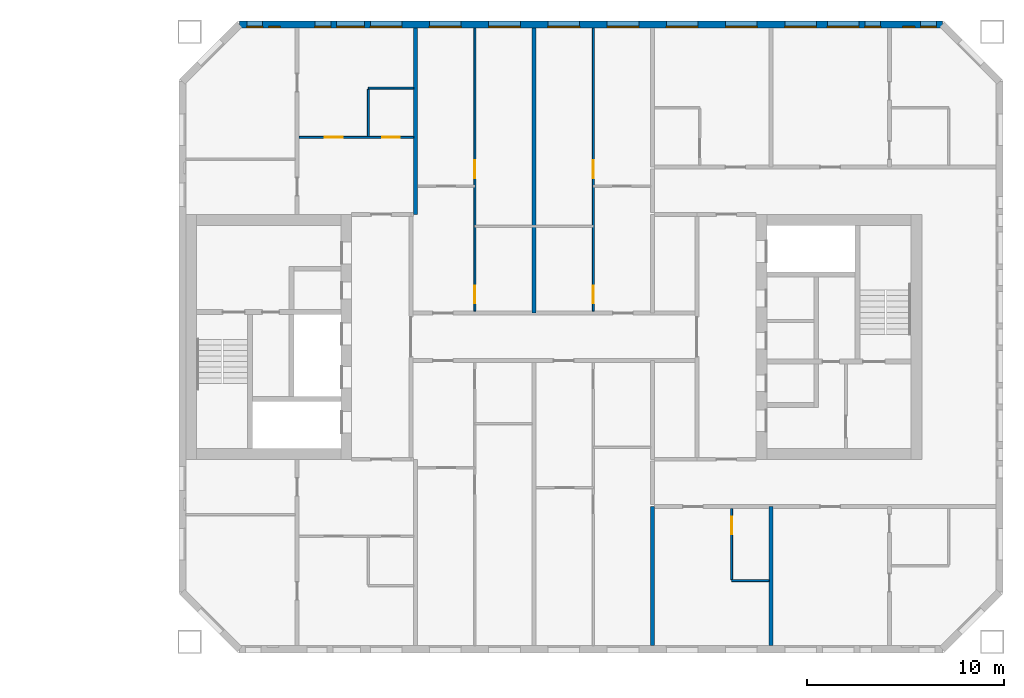
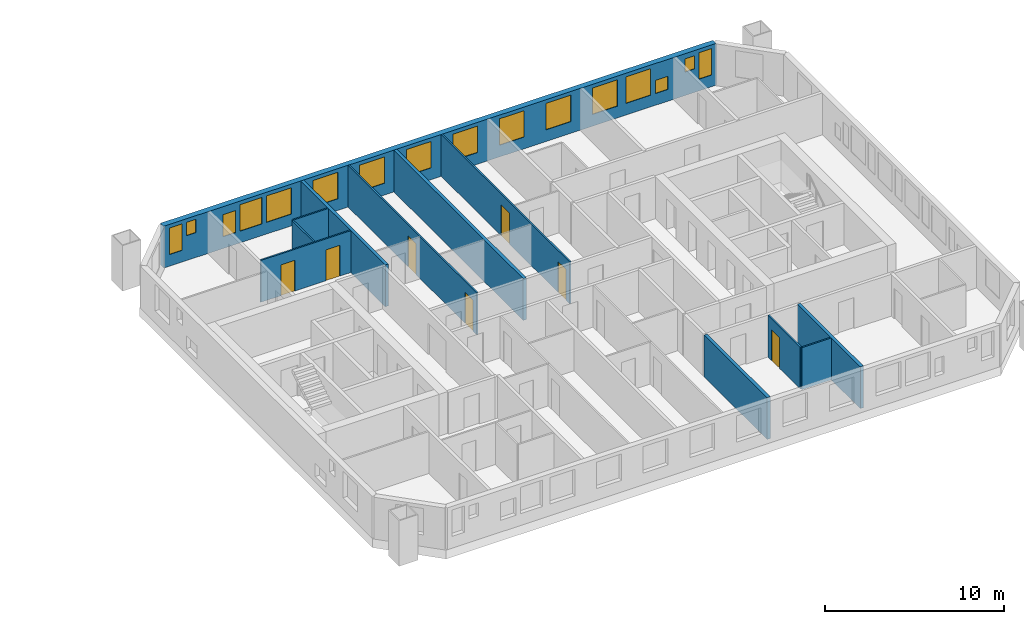
# One storey, part 12 of 17: 16 windows, 12 walls, 7 doors, 23 openings.
"""IFC4 building model written with IfcOpenShell, lengths in metres."""

from ifc_helpers import new_model, si_unit, direction, frame, frame_2d, origin, place, context, subcontext, project, spatial, rectangle, extrude, material, layer, layer_set, type_object, element, fill, save


model = new_model("IFC4")

# Units and contexts
model_context = context("Model", 3, precision=1e-05, world=origin(), true_north=direction((0.0, 1.0)))
body_context = subcontext(model_context, "Body", "Model", "MODEL_VIEW")
ifc_project = project(units=[si_unit("LENGTHUNIT", "METRE"), si_unit("AREAUNIT", "SQUARE_METRE"), si_unit("VOLUMEUNIT", "CUBIC_METRE"), si_unit("PLANEANGLEUNIT", "RADIAN"), si_unit("MASSUNIT", "GRAM", prefix="KILO")], contexts=[model_context])

# Site, building, storey
site_placement = place(None, origin())
site = spatial("IfcSite", under=ifc_project, at=site_placement, CompositionType="ELEMENT")
building_placement = place(site_placement, origin())
building = spatial("IfcBuilding", under=site, at=building_placement, Name="Tuart Gate Housing", CompositionType="ELEMENT")
storey_placement = place(building_placement, frame((0.0, 0.0, 123.699951171875)))
storey = spatial("IfcBuildingStorey", under=building, at=storey_placement, Name="L34", CompositionType="ELEMENT", Elevation=123.699951171875)

# Wall, openings, windows
ifc_material_1 = material(Name="Brick", Category="masonry")
ifc_layer_1 = layer(ifc_material_1, 0.360107421875)
ifc_layer_set_1 = layer_set([ifc_layer_1], Name="Brick pier and spandrel wall 360")
wall_type_1 = type_object("IfcWallType", Name="Brick pier and spandrel wall 360", PredefinedType="STANDARD", material=ifc_layer_set_1)
wall_1_placement = place(storey_placement, frame((169.67529296875, 85.820068359375, 0.0), z_axis=(0.0, 0.0, 1.0), x_axis=(-1.0, 0.0, 0.0)))
wall_1 = element("IfcWall", 1, at=wall_1_placement, inside=storey, type_object=wall_type_1, Name="External wall B-N L34", PredefinedType="STANDARD", context=body_context, shape_type="SweptSolid", body=[
    extrude(rectangle(XDim=35.600830078125, YDim=0.360107421875, at=frame_2d((17.80029296875, 0.0))), origin(), (0.0, 0.0, 1.0), 2.85009765625),
])
opening_1_placement = place(wall_1_placement, frame((0.300048828125, 0.0, 0.800048828125)))
opening_1 = element("IfcOpeningElement", 2, at=opening_1_placement, cuts=wall_1, Name="Opening W1D", PredefinedType="OPENING", context=body_context, shape_type="SweptSolid", body=[
    extrude(rectangle(XDim=0.800048828125, YDim=1.800048828125, at=frame_2d((0.39990234375, 0.89990234375))), frame((0.0, 0.18994140625, 0.0), z_axis=(0.0, -1.0, 0.0), x_axis=(1.0, 0.0, 0.0)), (0.0, 0.0, 1.0), 0.380126953125),
])
opening_2_placement = place(wall_1_placement, frame((3.12548828125, 0.0, 0.800048828125)))
opening_2 = element("IfcOpeningElement", 3, at=opening_2_placement, cuts=wall_1, Name="Opening W1V", PredefinedType="OPENING", context=body_context, shape_type="SweptSolid", body=[
    extrude(rectangle(XDim=0.800048828125, YDim=0.89990234375, at=frame_2d((0.39990234375, 0.449951171875))), frame((0.0, 0.18994140625, 0.0), z_axis=(0.0, -1.0, 0.0), x_axis=(1.0, 0.0, 0.0)), (0.0, 0.0, 1.0), 0.380126953125),
])
opening_3_placement = place(wall_1_placement, frame((6.37548828125, 0.0, 0.800048828125)))
opening_3 = element("IfcOpeningElement", 4, at=opening_3_placement, cuts=wall_1, Name="Opening W1", PredefinedType="OPENING", context=body_context, shape_type="SweptSolid", body=[
    extrude(rectangle(XDim=1.60009765625, YDim=1.800048828125, at=frame_2d((0.800048828125, 0.89990234375))), frame((0.0, 0.18994140625, 0.0), z_axis=(0.0, -1.0, 0.0), x_axis=(1.0, 0.0, 0.0)), (0.0, 0.0, 1.0), 0.380126953125),
])
opening_4_placement = place(wall_1_placement, frame((9.37548828125, 0.0, 0.800048828125)))
opening_4 = element("IfcOpeningElement", 5, at=opening_4_placement, cuts=wall_1, Name="Opening W1", PredefinedType="OPENING", context=body_context, shape_type="SweptSolid", body=[
    extrude(rectangle(XDim=1.60009765625, YDim=1.800048828125, at=frame_2d((0.800048828125, 0.89990234375))), frame((0.0, 0.18994140625, 0.0), z_axis=(0.0, -1.0, 0.0), x_axis=(1.0, 0.0, 0.0)), (0.0, 0.0, 1.0), 0.380126953125),
])
opening_5_placement = place(wall_1_placement, frame((12.37548828125, 0.0, 0.800048828125)))
opening_5 = element("IfcOpeningElement", 6, at=opening_5_placement, cuts=wall_1, Name="Opening W1", PredefinedType="OPENING", context=body_context, shape_type="SweptSolid", body=[
    extrude(rectangle(XDim=1.60009765625, YDim=1.800048828125, at=frame_2d((0.800048828125, 0.89990234375))), frame((0.0, 0.18994140625, 0.0), z_axis=(0.0, -1.0, 0.0), x_axis=(1.0, 0.0, 0.0)), (0.0, 0.0, 1.0), 0.380126953125),
])
opening_6_placement = place(wall_1_placement, frame((15.37548828125, 0.0, 0.800048828125)))
opening_6 = element("IfcOpeningElement", 7, at=opening_6_placement, cuts=wall_1, Name="Opening W1", PredefinedType="OPENING", context=body_context, shape_type="SweptSolid", body=[
    extrude(rectangle(XDim=1.60009765625, YDim=1.800048828125, at=frame_2d((0.800048828125, 0.89990234375))), frame((0.0, 0.18994140625, 0.0), z_axis=(0.0, -1.0, 0.0), x_axis=(1.0, 0.0, 0.0)), (0.0, 0.0, 1.0), 0.380126953125),
])
opening_7_placement = place(wall_1_placement, frame((18.37548828125, 0.0, 0.800048828125)))
opening_7 = element("IfcOpeningElement", 8, at=opening_7_placement, cuts=wall_1, Name="Opening W1", PredefinedType="OPENING", context=body_context, shape_type="SweptSolid", body=[
    extrude(rectangle(XDim=1.60009765625, YDim=1.800048828125, at=frame_2d((0.800048828125, 0.89990234375))), frame((0.0, 0.18994140625, 0.0), z_axis=(0.0, -1.0, 0.0), x_axis=(1.0, 0.0, 0.0)), (0.0, 0.0, 1.0), 0.380126953125),
])
opening_8_placement = place(wall_1_placement, frame((21.37548828125, 0.0, 0.800048828125)))
opening_8 = element("IfcOpeningElement", 9, at=opening_8_placement, cuts=wall_1, Name="Opening W1", PredefinedType="OPENING", context=body_context, shape_type="SweptSolid", body=[
    extrude(rectangle(XDim=1.60009765625, YDim=1.800048828125, at=frame_2d((0.800048828125, 0.89990234375))), frame((0.0, 0.18994140625, 0.0), z_axis=(0.0, -1.0, 0.0), x_axis=(1.0, 0.0, 0.0)), (0.0, 0.0, 1.0), 0.380126953125),
])
opening_9_placement = place(wall_1_placement, frame((24.37548828125, 0.0, 0.800048828125)))
opening_9 = element("IfcOpeningElement", 10, at=opening_9_placement, cuts=wall_1, Name="Opening W1", PredefinedType="OPENING", context=body_context, shape_type="SweptSolid", body=[
    extrude(rectangle(XDim=1.60009765625, YDim=1.800048828125, at=frame_2d((0.800048828125, 0.89990234375))), frame((0.0, 0.18994140625, 0.0), z_axis=(0.0, -1.0, 0.0), x_axis=(1.0, 0.0, 0.0)), (0.0, 0.0, 1.0), 0.380126953125),
])
opening_10_placement = place(wall_1_placement, frame((27.37548828125, 0.0, 0.800048828125)))
opening_10 = element("IfcOpeningElement", 11, at=opening_10_placement, cuts=wall_1, Name="Opening W1", PredefinedType="OPENING", context=body_context, shape_type="SweptSolid", body=[
    extrude(rectangle(XDim=1.60009765625, YDim=1.800048828125, at=frame_2d((0.800048828125, 0.89990234375))), frame((0.0, 0.18994140625, 0.0), z_axis=(0.0, -1.0, 0.0), x_axis=(1.0, 0.0, 0.0)), (0.0, 0.0, 1.0), 0.380126953125),
])
opening_11_placement = place(wall_1_placement, frame((29.275390625, 0.0, 0.800048828125)))
opening_11 = element("IfcOpeningElement", 12, at=opening_11_placement, cuts=wall_1, Name="Opening W1A", PredefinedType="OPENING", context=body_context, shape_type="SweptSolid", body=[
    extrude(rectangle(XDim=1.39990234375, YDim=1.800048828125, at=frame_2d((0.699951171875, 0.89990234375))), frame((0.0, 0.18994140625, 0.0), z_axis=(0.0, -1.0, 0.0), x_axis=(1.0, 0.0, 0.0)), (0.0, 0.0, 1.0), 0.380126953125),
])
opening_12_placement = place(wall_1_placement, frame((33.525390625, 0.0, 1.699951171875)))
opening_12 = element("IfcOpeningElement", 13, at=opening_12_placement, cuts=wall_1, Name="Opening W1W", PredefinedType="OPENING", context=body_context, shape_type="SweptSolid", body=[
    extrude(rectangle(XDim=0.60009765625, YDim=0.89990234375, at=frame_2d((0.300048828125, 0.449951171875))), frame((0.0, 0.18994140625, 0.0), z_axis=(0.0, -1.0, 0.0), x_axis=(1.0, 0.0, 0.0)), (0.0, 0.0, 1.0), 0.380126953125),
])
opening_13_placement = place(wall_1_placement, frame((1.39990234375, 0.0, 1.60009765625)))
opening_13 = element("IfcOpeningElement", 14, at=opening_13_placement, cuts=wall_1, Name="Opening W1W", PredefinedType="OPENING", context=body_context, shape_type="SweptSolid", body=[
    extrude(rectangle(XDim=0.60009765625, YDim=0.89990234375, at=frame_2d((0.300048828125, 0.449951171875))), frame((0.0, 0.18994140625, 0.0), z_axis=(0.0, -1.0, 0.0), x_axis=(1.0, 0.0, 0.0)), (0.0, 0.0, 1.0), 0.380126953125),
])
opening_14_placement = place(wall_1_placement, frame((4.225341796875, 0.0, 0.800048828125)))
opening_14 = element("IfcOpeningElement", 15, at=opening_14_placement, cuts=wall_1, Name="Opening W1", PredefinedType="OPENING", context=body_context, shape_type="SweptSolid", body=[
    extrude(rectangle(XDim=1.60009765625, YDim=1.800048828125, at=frame_2d((0.800048828125, 0.89990234375))), frame((0.0, 0.18994140625, 0.0), z_axis=(0.0, -1.0, 0.0), x_axis=(1.0, 0.0, 0.0)), (0.0, 0.0, 1.0), 0.380126953125),
])
opening_15_placement = place(wall_1_placement, frame((30.975341796875, 0.0, 0.800048828125)))
opening_15 = element("IfcOpeningElement", 16, at=opening_15_placement, cuts=wall_1, Name="Opening W1J", PredefinedType="OPENING", context=body_context, shape_type="SweptSolid", body=[
    extrude(rectangle(XDim=0.800048828125, YDim=1.5, at=frame_2d((0.39990234375, 0.75))), frame((0.0, 0.18994140625, 0.0), z_axis=(0.0, -1.0, 0.0), x_axis=(1.0, 0.0, 0.0)), (0.0, 0.0, 1.0), 0.380126953125),
])
opening_16_placement = place(wall_1_placement, frame((34.42529296875, 0.0, 0.800048828125)))
opening_16 = element("IfcOpeningElement", 17, at=opening_16_placement, cuts=wall_1, Name="Opening W1D", PredefinedType="OPENING", context=body_context, shape_type="SweptSolid", body=[
    extrude(rectangle(XDim=0.800048828125, YDim=1.800048828125, at=frame_2d((0.39990234375, 0.89990234375))), frame((0.0, 0.18994140625, 0.0), z_axis=(0.0, -1.0, 0.0), x_axis=(1.0, 0.0, 0.0)), (0.0, 0.0, 1.0), 0.380126953125),
])
ifc_material_2 = material(Name="Aluminium frame with clear glass", Category="aluminium")
window_type_1 = type_object("IfcWindowType", Name="Punched window 1400 x 1800", PartitioningType="SINGLE_PANEL", PredefinedType="WINDOW", material=ifc_material_2)
window_1_placement = place(opening_11_placement, origin())
window_1 = element("IfcWindow", 18, at=window_1_placement, inside=storey, type_object=window_type_1, Name="Window W1A", OverallHeight=1.800048828125, OverallWidth=1.39990234375, PartitioningType="SINGLE_PANEL", PredefinedType="WINDOW", context=body_context, shape_type="SweptSolid", body=[
    extrude(rectangle(XDim=1.39990234375, YDim=1.800048828125, at=frame_2d((0.699951171875, 0.89990234375))), frame((0.0, 0.150146484375, 0.0), z_axis=(0.0, -1.0, 0.0), x_axis=(1.0, 0.0, 0.0)), (0.0, 0.0, 1.0), 0.06005859375),
])
fill(opening_11, window_1)
ifc_material_3 = material(Name="Aluminium frame with clear glass", Category="aluminium")
window_type_2 = type_object("IfcWindowType", Name="Punched window 1600 x 1800", PartitioningType="SINGLE_PANEL", PredefinedType="WINDOW", material=ifc_material_3)
window_2_placement = place(opening_3_placement, origin())
window_2 = element("IfcWindow", 19, at=window_2_placement, inside=storey, type_object=window_type_2, Name="Window W1", OverallHeight=1.800048828125, OverallWidth=1.60009765625, PartitioningType="SINGLE_PANEL", PredefinedType="WINDOW", context=body_context, shape_type="SweptSolid", body=[
    extrude(rectangle(XDim=1.60009765625, YDim=1.800048828125, at=frame_2d((0.800048828125, 0.89990234375))), frame((0.0, 0.150146484375, 0.0), z_axis=(0.0, -1.0, 0.0), x_axis=(1.0, 0.0, 0.0)), (0.0, 0.0, 1.0), 0.06005859375),
])
fill(opening_3, window_2)
window_3_placement = place(opening_4_placement, origin())
window_3 = element("IfcWindow", 20, at=window_3_placement, inside=storey, type_object=window_type_2, Name="Window W1", OverallHeight=1.800048828125, OverallWidth=1.60009765625, PartitioningType="SINGLE_PANEL", PredefinedType="WINDOW", context=body_context, shape_type="SweptSolid", body=[
    extrude(rectangle(XDim=1.60009765625, YDim=1.800048828125, at=frame_2d((0.800048828125, 0.89990234375))), frame((0.0, 0.150146484375, 0.0), z_axis=(0.0, -1.0, 0.0), x_axis=(1.0, 0.0, 0.0)), (0.0, 0.0, 1.0), 0.06005859375),
])
fill(opening_4, window_3)
window_4_placement = place(opening_5_placement, origin())
window_4 = element("IfcWindow", 21, at=window_4_placement, inside=storey, type_object=window_type_2, Name="Window W1", OverallHeight=1.800048828125, OverallWidth=1.60009765625, PartitioningType="SINGLE_PANEL", PredefinedType="WINDOW", context=body_context, shape_type="SweptSolid", body=[
    extrude(rectangle(XDim=1.60009765625, YDim=1.800048828125, at=frame_2d((0.800048828125, 0.89990234375))), frame((0.0, 0.150146484375, 0.0), z_axis=(0.0, -1.0, 0.0), x_axis=(1.0, 0.0, 0.0)), (0.0, 0.0, 1.0), 0.06005859375),
])
fill(opening_5, window_4)
window_5_placement = place(opening_6_placement, origin())
window_5 = element("IfcWindow", 22, at=window_5_placement, inside=storey, type_object=window_type_2, Name="Window W1", OverallHeight=1.800048828125, OverallWidth=1.60009765625, PartitioningType="SINGLE_PANEL", PredefinedType="WINDOW", context=body_context, shape_type="SweptSolid", body=[
    extrude(rectangle(XDim=1.60009765625, YDim=1.800048828125, at=frame_2d((0.800048828125, 0.89990234375))), frame((0.0, 0.150146484375, 0.0), z_axis=(0.0, -1.0, 0.0), x_axis=(1.0, 0.0, 0.0)), (0.0, 0.0, 1.0), 0.06005859375),
])
fill(opening_6, window_5)
window_6_placement = place(opening_7_placement, origin())
window_6 = element("IfcWindow", 23, at=window_6_placement, inside=storey, type_object=window_type_2, Name="Window W1", OverallHeight=1.800048828125, OverallWidth=1.60009765625, PartitioningType="SINGLE_PANEL", PredefinedType="WINDOW", context=body_context, shape_type="SweptSolid", body=[
    extrude(rectangle(XDim=1.60009765625, YDim=1.800048828125, at=frame_2d((0.800048828125, 0.89990234375))), frame((0.0, 0.150146484375, 0.0), z_axis=(0.0, -1.0, 0.0), x_axis=(1.0, 0.0, 0.0)), (0.0, 0.0, 1.0), 0.06005859375),
])
fill(opening_7, window_6)
window_7_placement = place(opening_8_placement, origin())
window_7 = element("IfcWindow", 24, at=window_7_placement, inside=storey, type_object=window_type_2, Name="Window W1", OverallHeight=1.800048828125, OverallWidth=1.60009765625, PartitioningType="SINGLE_PANEL", PredefinedType="WINDOW", context=body_context, shape_type="SweptSolid", body=[
    extrude(rectangle(XDim=1.60009765625, YDim=1.800048828125, at=frame_2d((0.800048828125, 0.89990234375))), frame((0.0, 0.150146484375, 0.0), z_axis=(0.0, -1.0, 0.0), x_axis=(1.0, 0.0, 0.0)), (0.0, 0.0, 1.0), 0.06005859375),
])
fill(opening_8, window_7)
window_8_placement = place(opening_9_placement, origin())
window_8 = element("IfcWindow", 25, at=window_8_placement, inside=storey, type_object=window_type_2, Name="Window W1", OverallHeight=1.800048828125, OverallWidth=1.60009765625, PartitioningType="SINGLE_PANEL", PredefinedType="WINDOW", context=body_context, shape_type="SweptSolid", body=[
    extrude(rectangle(XDim=1.60009765625, YDim=1.800048828125, at=frame_2d((0.800048828125, 0.89990234375))), frame((0.0, 0.150146484375, 0.0), z_axis=(0.0, -1.0, 0.0), x_axis=(1.0, 0.0, 0.0)), (0.0, 0.0, 1.0), 0.06005859375),
])
fill(opening_9, window_8)
window_9_placement = place(opening_10_placement, origin())
window_9 = element("IfcWindow", 26, at=window_9_placement, inside=storey, type_object=window_type_2, Name="Window W1", OverallHeight=1.800048828125, OverallWidth=1.60009765625, PartitioningType="SINGLE_PANEL", PredefinedType="WINDOW", context=body_context, shape_type="SweptSolid", body=[
    extrude(rectangle(XDim=1.60009765625, YDim=1.800048828125, at=frame_2d((0.800048828125, 0.89990234375))), frame((0.0, 0.150146484375, 0.0), z_axis=(0.0, -1.0, 0.0), x_axis=(1.0, 0.0, 0.0)), (0.0, 0.0, 1.0), 0.06005859375),
])
fill(opening_10, window_9)
window_10_placement = place(opening_14_placement, origin())
window_10 = element("IfcWindow", 27, at=window_10_placement, inside=storey, type_object=window_type_2, Name="Window W1", OverallHeight=1.800048828125, OverallWidth=1.60009765625, PartitioningType="SINGLE_PANEL", PredefinedType="WINDOW", context=body_context, shape_type="SweptSolid", body=[
    extrude(rectangle(XDim=1.60009765625, YDim=1.800048828125, at=frame_2d((0.800048828125, 0.89990234375))), frame((0.0, 0.150146484375, 0.0), z_axis=(0.0, -1.0, 0.0), x_axis=(1.0, 0.0, 0.0)), (0.0, 0.0, 1.0), 0.06005859375),
])
fill(opening_14, window_10)
ifc_material_4 = material(Name="Aluminium frame with clear glass", Category="aluminium")
window_type_3 = type_object("IfcWindowType", Name="Punched window 600 x 900", PartitioningType="SINGLE_PANEL", PredefinedType="WINDOW", material=ifc_material_4)
window_11_placement = place(opening_12_placement, origin())
window_11 = element("IfcWindow", 28, at=window_11_placement, inside=storey, type_object=window_type_3, Name="Window W1W", OverallHeight=0.89990234375, OverallWidth=0.60009765625, PartitioningType="SINGLE_PANEL", PredefinedType="WINDOW", context=body_context, shape_type="SweptSolid", body=[
    extrude(rectangle(XDim=0.60009765625, YDim=0.89990234375, at=frame_2d((0.300048828125, 0.449951171875))), frame((0.0, 0.150146484375, 0.0), z_axis=(0.0, -1.0, 0.0), x_axis=(1.0, 0.0, 0.0)), (0.0, 0.0, 1.0), 0.06005859375),
])
fill(opening_12, window_11)
window_12_placement = place(opening_13_placement, origin())
window_12 = element("IfcWindow", 29, at=window_12_placement, inside=storey, type_object=window_type_3, Name="Window W1W", OverallHeight=0.89990234375, OverallWidth=0.60009765625, PartitioningType="SINGLE_PANEL", PredefinedType="WINDOW", context=body_context, shape_type="SweptSolid", body=[
    extrude(rectangle(XDim=0.60009765625, YDim=0.89990234375, at=frame_2d((0.300048828125, 0.449951171875))), frame((0.0, 0.150146484375, 0.0), z_axis=(0.0, -1.0, 0.0), x_axis=(1.0, 0.0, 0.0)), (0.0, 0.0, 1.0), 0.06005859375),
])
fill(opening_13, window_12)
ifc_material_5 = material(Name="Aluminium frame with clear glass", Category="aluminium")
window_type_4 = type_object("IfcWindowType", Name="Punched window 800 x 1500", PartitioningType="SINGLE_PANEL", PredefinedType="WINDOW", material=ifc_material_5)
window_13_placement = place(opening_15_placement, origin())
window_13 = element("IfcWindow", 30, at=window_13_placement, inside=storey, type_object=window_type_4, Name="Window W1J", OverallHeight=1.5, OverallWidth=0.800048828125, PartitioningType="SINGLE_PANEL", PredefinedType="WINDOW", context=body_context, shape_type="SweptSolid", body=[
    extrude(rectangle(XDim=0.800048828125, YDim=1.5, at=frame_2d((0.39990234375, 0.75))), frame((0.0, 0.150146484375, 0.0), z_axis=(0.0, -1.0, 0.0), x_axis=(1.0, 0.0, 0.0)), (0.0, 0.0, 1.0), 0.06005859375),
])
fill(opening_15, window_13)
ifc_material_6 = material(Name="Aluminium frame with clear glass", Category="aluminium")
window_type_5 = type_object("IfcWindowType", Name="Punched window 800 x 1800", PartitioningType="SINGLE_PANEL", PredefinedType="WINDOW", material=ifc_material_6)
window_14_placement = place(opening_1_placement, origin())
window_14 = element("IfcWindow", 31, at=window_14_placement, inside=storey, type_object=window_type_5, Name="Window W1D", OverallHeight=1.800048828125, OverallWidth=0.800048828125, PartitioningType="SINGLE_PANEL", PredefinedType="WINDOW", context=body_context, shape_type="SweptSolid", body=[
    extrude(rectangle(XDim=0.800048828125, YDim=1.800048828125, at=frame_2d((0.39990234375, 0.89990234375))), frame((0.0, 0.150146484375, 0.0), z_axis=(0.0, -1.0, 0.0), x_axis=(1.0, 0.0, 0.0)), (0.0, 0.0, 1.0), 0.06005859375),
])
fill(opening_1, window_14)
window_15_placement = place(opening_16_placement, origin())
window_15 = element("IfcWindow", 32, at=window_15_placement, inside=storey, type_object=window_type_5, Name="Window W1D", OverallHeight=1.800048828125, OverallWidth=0.800048828125, PartitioningType="SINGLE_PANEL", PredefinedType="WINDOW", context=body_context, shape_type="SweptSolid", body=[
    extrude(rectangle(XDim=0.800048828125, YDim=1.800048828125, at=frame_2d((0.39990234375, 0.89990234375))), frame((0.0, 0.150146484375, 0.0), z_axis=(0.0, -1.0, 0.0), x_axis=(1.0, 0.0, 0.0)), (0.0, 0.0, 1.0), 0.06005859375),
])
fill(opening_16, window_15)
ifc_material_7 = material(Name="Aluminium frame with clear glass", Category="aluminium")
window_type_6 = type_object("IfcWindowType", Name="Punched window 800 x 900", PartitioningType="SINGLE_PANEL", PredefinedType="WINDOW", material=ifc_material_7)
window_16_placement = place(opening_2_placement, origin())
window_16 = element("IfcWindow", 33, at=window_16_placement, inside=storey, type_object=window_type_6, Name="Window W1V", OverallHeight=0.89990234375, OverallWidth=0.800048828125, PartitioningType="SINGLE_PANEL", PredefinedType="WINDOW", context=body_context, shape_type="SweptSolid", body=[
    extrude(rectangle(XDim=0.800048828125, YDim=0.89990234375, at=frame_2d((0.39990234375, 0.449951171875))), frame((0.0, 0.150146484375, 0.0), z_axis=(0.0, -1.0, 0.0), x_axis=(1.0, 0.0, 0.0)), (0.0, 0.0, 1.0), 0.06005859375),
])
fill(opening_2, window_16)

# Wall
ifc_material_8 = material(Name="Gypsum board on steel studs", Category="steel")
ifc_layer_2 = layer(ifc_material_8, 0.10009765625)
ifc_layer_set_2 = layer_set([ifc_layer_2], Name="Partition 100")
wall_type_2 = type_object("IfcWallType", Name="Partition 100", PredefinedType="PARTITIONING", material=ifc_layer_set_2)
wall_2_placement = place(storey_placement, frame((159.0, 57.64990234375, 0.0), z_axis=(0.0, 0.0, 1.0), x_axis=(1.0, 0.0, 0.0)))
element("IfcWall", 34, at=wall_2_placement, inside=storey, type_object=wall_type_2, Name="Partition 100", PredefinedType="PARTITIONING", context=body_context, shape_type="SweptSolid", body=[
    extrude(rectangle(XDim=1.89990234375, YDim=0.10009765625, at=frame_2d((0.949951171875, 0.0))), origin(), (0.0, 0.0, 1.0), 2.85009765625),
])

# Wall, openings, doors
wall_3_placement = place(storey_placement, frame((137.10009765625, 80.10009765625, 0.0), z_axis=(0.0, 0.0, 1.0), x_axis=(1.0, 0.0, 0.0)))
wall_3 = element("IfcWall", 35, at=wall_3_placement, inside=storey, type_object=wall_type_2, Name="Partition 100", PredefinedType="PARTITIONING", context=body_context, shape_type="SweptSolid", body=[
    extrude(rectangle(XDim=5.7998046875, YDim=0.10009765625, at=frame_2d((2.89990234375, 0.0))), origin(), (0.0, 0.0, 1.0), 2.85009765625),
])
opening_17_placement = place(wall_3_placement, frame((1.300048828125, 0.0, 0.0)))
opening_17 = element("IfcOpeningElement", 36, at=opening_17_placement, cuts=wall_3, Name="Opening D1357", PredefinedType="OPENING", context=body_context, shape_type="SweptSolid", body=[
    extrude(rectangle(XDim=0.89990234375, YDim=2.10009765625, at=frame_2d((0.449951171875, 1.050048828125))), frame((0.0, 0.06005859375, 0.0), z_axis=(0.0, -1.0, 0.0), x_axis=(1.0, 0.0, 0.0)), (0.0, 0.0, 1.0), 0.1201171875),
])
opening_18_placement = place(wall_3_placement, frame((4.199951171875, 0.0, 0.0)))
opening_18 = element("IfcOpeningElement", 37, at=opening_18_placement, cuts=wall_3, Name="Opening D1356", PredefinedType="OPENING", context=body_context, shape_type="SweptSolid", body=[
    extrude(rectangle(XDim=0.89990234375, YDim=2.10009765625, at=frame_2d((0.449951171875, 1.050048828125))), frame((0.0, 0.06005859375, 0.0), z_axis=(0.0, -1.0, 0.0), x_axis=(1.0, 0.0, 0.0)), (0.0, 0.0, 1.0), 0.1201171875),
])
ifc_material_9 = material(Name="Timber door leaf in steel frame", Category="steel")
door_type_1 = type_object("IfcDoorType", Name="Bathroom door 900", OperationType="SINGLE_SWING_LEFT", PredefinedType="DOOR", material=ifc_material_9)
door_1_placement = place(opening_18_placement, origin())
door_1 = element("IfcDoor", 38, at=door_1_placement, inside=storey, type_object=door_type_1, Name="Bathroom door", OperationType="SINGLE_SWING_LEFT", OverallHeight=2.10009765625, OverallWidth=0.89990234375, PredefinedType="DOOR", context=body_context, shape_type="SweptSolid", body=[
    extrude(rectangle(XDim=0.89990234375, YDim=2.10009765625, at=frame_2d((0.449951171875, 1.050048828125))), frame((0.0, 0.02490234375, 0.0), z_axis=(0.0, -1.0, 0.0), x_axis=(1.0, 0.0, 0.0)), (0.0, 0.0, 1.0), 0.050048828125),
])
fill(opening_18, door_1)
ifc_material_10 = material(Name="Timber door leaf in steel frame", Category="steel")
door_type_2 = type_object("IfcDoorType", Name="Internal door 900 RH", OperationType="SINGLE_SWING_RIGHT", PredefinedType="DOOR", material=ifc_material_10)
door_2_placement = place(opening_17_placement, frame((0.89990234375, 0.0, 0.0), z_axis=(0.0, 0.0, 1.0), x_axis=(-1.0, 0.0, 0.0)))
door_2 = element("IfcDoor", 39, at=door_2_placement, inside=storey, type_object=door_type_2, Name="Internal door", OperationType="SINGLE_SWING_RIGHT", OverallHeight=2.10009765625, OverallWidth=0.89990234375, PredefinedType="DOOR", context=body_context, shape_type="SweptSolid", body=[
    extrude(rectangle(XDim=0.89990234375, YDim=2.10009765625, at=frame_2d((0.449951171875, 1.050048828125))), frame((0.0, 0.025146484375, 0.0), z_axis=(0.0, -1.0, 0.0), x_axis=(1.0, 0.0, 0.0)), (0.0, 0.0, 1.0), 0.050048828125),
])
fill(opening_17, door_2)

# Walls
wall_4_placement = place(storey_placement, frame((140.60009765625, 82.60009765625, 0.0), z_axis=(0.0, 0.0, 1.0), x_axis=(1.0, 0.0, 0.0)))
element("IfcWall", 40, at=wall_4_placement, inside=storey, type_object=wall_type_2, Name="Partition 100", PredefinedType="PARTITIONING", context=body_context, shape_type="SweptSolid", body=[
    extrude(rectangle(XDim=2.2998046875, YDim=0.10009765625, at=frame_2d((1.14990234375, 0.0))), origin(), (0.0, 0.0, 1.0), 2.85009765625),
])
wall_5_placement = place(storey_placement, frame((140.60009765625, 80.14990234375, 0.0), z_axis=(0.0, 0.0, 1.0), x_axis=(0.0, 1.0, 0.0)))
element("IfcWall", 41, at=wall_5_placement, inside=storey, type_object=wall_type_2, Name="Partition 100", PredefinedType="PARTITIONING", context=body_context, shape_type="SweptSolid", body=[
    extrude(rectangle(XDim=2.400146484375, YDim=0.10009765625, at=frame_2d((1.2001953125, 0.0))), origin(), (0.0, 0.0, 1.0), 2.85009765625),
])

# Wall, openings, doors
wall_6_placement = place(storey_placement, frame((146.0, 71.300048828125, 0.0), z_axis=(0.0, 0.0, 1.0), x_axis=(0.0, 1.0, 0.0)))
wall_6 = element("IfcWall", 42, at=wall_6_placement, inside=storey, type_object=wall_type_2, Name="Partition 100", PredefinedType="PARTITIONING", context=body_context, shape_type="SweptSolid", body=[
    extrude(rectangle(XDim=14.33984375, YDim=0.10009765625, at=frame_2d((7.169921875, 0.0))), origin(), (0.0, 0.0, 1.0), 2.85009765625),
])
opening_19_placement = place(wall_6_placement, frame((6.739990234375, 0.0, 0.0)))
opening_19 = element("IfcOpeningElement", 43, at=opening_19_placement, cuts=wall_6, Name="Opening D1361", PredefinedType="OPENING", context=body_context, shape_type="SweptSolid", body=[
    extrude(rectangle(XDim=0.89990234375, YDim=2.10009765625, at=frame_2d((0.449951171875, 1.050048828125))), frame((0.0, 0.06005859375, 0.0), z_axis=(0.0, -1.0, 0.0), x_axis=(1.0, 0.0, 0.0)), (0.0, 0.0, 1.0), 0.1201171875),
])
opening_20_placement = place(wall_6_placement, frame((0.39990234375, 0.0, 0.0)))
opening_20 = element("IfcOpeningElement", 44, at=opening_20_placement, cuts=wall_6, Name="Opening D1360", PredefinedType="OPENING", context=body_context, shape_type="SweptSolid", body=[
    extrude(rectangle(XDim=0.89990234375, YDim=2.10009765625, at=frame_2d((0.449951171875, 1.050048828125))), frame((0.0, 0.06005859375, 0.0), z_axis=(0.0, -1.0, 0.0), x_axis=(1.0, 0.0, 0.0)), (0.0, 0.0, 1.0), 0.1201171875),
])
ifc_material_11 = material(Name="Timber door leaf in steel frame", Category="steel")
door_type_3 = type_object("IfcDoorType", Name="Bathroom door 900 RH", OperationType="SINGLE_SWING_RIGHT", PredefinedType="DOOR", material=ifc_material_11)
door_3_placement = place(opening_20_placement, frame((0.89990234375, 0.0, 0.0), z_axis=(0.0, 0.0, 1.0), x_axis=(-1.0, 0.0, 0.0)))
door_3 = element("IfcDoor", 45, at=door_3_placement, inside=storey, type_object=door_type_3, Name="Bathroom door", OperationType="SINGLE_SWING_RIGHT", OverallHeight=2.10009765625, OverallWidth=0.89990234375, PredefinedType="DOOR", context=body_context, shape_type="SweptSolid", body=[
    extrude(rectangle(XDim=0.89990234375, YDim=2.10009765625, at=frame_2d((0.449951171875, 1.050048828125))), frame((0.0, 0.025146484375, 0.0), z_axis=(0.0, -1.0, 0.0), x_axis=(1.0, 0.0, 0.0)), (0.0, 0.0, 1.0), 0.050048828125),
])
fill(opening_20, door_3)
door_4_placement = place(opening_19_placement, frame((0.89990234375, 0.0, 0.0), z_axis=(0.0, 0.0, 1.0), x_axis=(-1.0, 0.0, 0.0)))
door_4 = element("IfcDoor", 46, at=door_4_placement, inside=storey, type_object=door_type_2, Name="Internal door", OperationType="SINGLE_SWING_RIGHT", OverallHeight=2.10009765625, OverallWidth=0.89990234375, PredefinedType="DOOR", context=body_context, shape_type="SweptSolid", body=[
    extrude(rectangle(XDim=0.89990234375, YDim=2.10009765625, at=frame_2d((0.449951171875, 1.050048828125))), frame((0.0, 0.025146484375, 0.0), z_axis=(0.0, -1.0, 0.0), x_axis=(1.0, 0.0, 0.0)), (0.0, 0.0, 1.0), 0.050048828125),
])
fill(opening_19, door_4)

wall_7_placement = place(storey_placement, frame((152.0, 71.300048828125, 0.0), z_axis=(0.0, 0.0, 1.0), x_axis=(0.0, 1.0, 0.0)))
wall_7 = element("IfcWall", 47, at=wall_7_placement, inside=storey, type_object=wall_type_2, Name="Partition 100", PredefinedType="PARTITIONING", context=body_context, shape_type="SweptSolid", body=[
    extrude(rectangle(XDim=14.33984375, YDim=0.10009765625, at=frame_2d((7.169921875, 0.0))), origin(), (0.0, 0.0, 1.0), 2.85009765625),
])
opening_21_placement = place(wall_7_placement, frame((6.739990234375, 0.0, 0.0)))
opening_21 = element("IfcOpeningElement", 48, at=opening_21_placement, cuts=wall_7, Name="Opening D1363", PredefinedType="OPENING", context=body_context, shape_type="SweptSolid", body=[
    extrude(rectangle(XDim=0.89990234375, YDim=2.10009765625, at=frame_2d((0.449951171875, 1.050048828125))), frame((0.0, 0.06005859375, 0.0), z_axis=(0.0, -1.0, 0.0), x_axis=(1.0, 0.0, 0.0)), (0.0, 0.0, 1.0), 0.1201171875),
])
opening_22_placement = place(wall_7_placement, frame((0.39990234375, 0.0, 0.0)))
opening_22 = element("IfcOpeningElement", 49, at=opening_22_placement, cuts=wall_7, Name="Opening D1362", PredefinedType="OPENING", context=body_context, shape_type="SweptSolid", body=[
    extrude(rectangle(XDim=0.89990234375, YDim=2.10009765625, at=frame_2d((0.449951171875, 1.050048828125))), frame((0.0, 0.06005859375, 0.0), z_axis=(0.0, -1.0, 0.0), x_axis=(1.0, 0.0, 0.0)), (0.0, 0.0, 1.0), 0.1201171875),
])
door_5_placement = place(opening_22_placement, origin())
door_5 = element("IfcDoor", 50, at=door_5_placement, inside=storey, type_object=door_type_1, Name="Bathroom door", OperationType="SINGLE_SWING_LEFT", OverallHeight=2.10009765625, OverallWidth=0.89990234375, PredefinedType="DOOR", context=body_context, shape_type="SweptSolid", body=[
    extrude(rectangle(XDim=0.89990234375, YDim=2.10009765625, at=frame_2d((0.449951171875, 1.050048828125))), frame((0.0, 0.02490234375, 0.0), z_axis=(0.0, -1.0, 0.0), x_axis=(1.0, 0.0, 0.0)), (0.0, 0.0, 1.0), 0.050048828125),
])
fill(opening_22, door_5)
ifc_material_12 = material(Name="Timber door leaf in steel frame", Category="steel")
door_type_4 = type_object("IfcDoorType", Name="Internal door 900", OperationType="SINGLE_SWING_LEFT", PredefinedType="DOOR", material=ifc_material_12)
door_6_placement = place(opening_21_placement, origin())
door_6 = element("IfcDoor", 51, at=door_6_placement, inside=storey, type_object=door_type_4, Name="Internal door", OperationType="SINGLE_SWING_LEFT", OverallHeight=2.10009765625, OverallWidth=0.89990234375, PredefinedType="DOOR", context=body_context, shape_type="SweptSolid", body=[
    extrude(rectangle(XDim=0.89990234375, YDim=2.10009765625, at=frame_2d((0.449951171875, 1.050048828125))), frame((0.0, 0.02490234375, 0.0), z_axis=(0.0, -1.0, 0.0), x_axis=(1.0, 0.0, 0.0)), (0.0, 0.0, 1.0), 0.050048828125),
])
fill(opening_21, door_6)

# Wall, opening, door
wall_8_placement = place(storey_placement, frame((159.0, 57.699951171875, 0.0), z_axis=(0.0, 0.0, 1.0), x_axis=(0.0, 1.0, 0.0)))
wall_8 = element("IfcWall", 52, at=wall_8_placement, inside=storey, type_object=wall_type_2, Name="Partition 100", PredefinedType="PARTITIONING", context=body_context, shape_type="SweptSolid", body=[
    extrude(rectangle(XDim=3.60009765625, YDim=0.10009765625, at=frame_2d((1.800048828125, 0.0))), origin(), (0.0, 0.0, 1.0), 2.85009765625),
])
opening_23_placement = place(wall_8_placement, frame((2.300048828125, 0.0, 0.0)))
opening_23 = element("IfcOpeningElement", 53, at=opening_23_placement, cuts=wall_8, Name="Opening D1397", PredefinedType="OPENING", context=body_context, shape_type="SweptSolid", body=[
    extrude(rectangle(XDim=0.89990234375, YDim=2.10009765625, at=frame_2d((0.449951171875, 1.050048828125))), frame((0.0, 0.06005859375, 0.0), z_axis=(0.0, -1.0, 0.0), x_axis=(1.0, 0.0, 0.0)), (0.0, 0.0, 1.0), 0.1201171875),
])
door_7_placement = place(opening_23_placement, frame((0.89990234375, 0.0, 0.0), z_axis=(0.0, 0.0, 1.0), x_axis=(-1.0, 0.0, 0.0)))
door_7 = element("IfcDoor", 54, at=door_7_placement, inside=storey, type_object=door_type_1, Name="Bathroom door", OperationType="SINGLE_SWING_LEFT", OverallHeight=2.10009765625, OverallWidth=0.89990234375, PredefinedType="DOOR", context=body_context, shape_type="SweptSolid", body=[
    extrude(rectangle(XDim=0.89990234375, YDim=2.10009765625, at=frame_2d((0.449951171875, 1.050048828125))), frame((0.0, 0.025146484375, 0.0), z_axis=(0.0, -1.0, 0.0), x_axis=(1.0, 0.0, 0.0)), (0.0, 0.0, 1.0), 0.050048828125),
])
fill(opening_23, door_7)

# Walls
ifc_material_13 = material(Name="Concrete C40", Category="concrete")
ifc_layer_3 = layer(ifc_material_13, 0.199951171875)
ifc_layer_set_3 = layer_set([ifc_layer_3], Name="Party wall concrete C40 200")
wall_type_3 = type_object("IfcWallType", Name="Party wall concrete C40 200", PredefinedType="SOLIDWALL", material=ifc_layer_set_3)
wall_9_placement = place(storey_placement, frame((143.0, 76.199951171875, 0.0), z_axis=(0.0, 0.0, 1.0), x_axis=(0.0, 1.0, 0.0)))
element("IfcWall", 55, at=wall_9_placement, inside=storey, type_object=wall_type_3, Name="Party wall concrete C40 200", PredefinedType="SOLIDWALL", context=body_context, shape_type="SweptSolid", body=[
    extrude(rectangle(XDim=9.43994140625, YDim=0.199951171875, at=frame_2d((4.719970703125, 0.0))), origin(), (0.0, 0.0, 1.0), 2.85009765625),
])
wall_10_placement = place(storey_placement, frame((149.0, 71.199951171875, 0.0), z_axis=(0.0, 0.0, 1.0), x_axis=(0.0, 1.0, 0.0)))
element("IfcWall", 56, at=wall_10_placement, inside=storey, type_object=wall_type_3, Name="Party wall concrete C40 200", PredefinedType="SOLIDWALL", context=body_context, shape_type="SweptSolid", body=[
    extrude(rectangle(XDim=14.43994140625, YDim=0.199951171875, at=frame_2d((7.219970703125, 0.0))), origin(), (0.0, 0.0, 1.0), 2.85009765625),
])
for number, where, z_axis, x_axis, name in (
    (57, (155.0, 54.360107421875, 0.0), (0.0, 0.0, 1.0), (0.0, 1.0, 0.0), "Party wall concrete C40 200"),
    (58, (161.0, 54.360107421875, 0.0), (0.0, 0.0, 1.0), (0.0, 1.0, 0.0), "Party wall concrete C40 200"),
):
    element("IfcWall", number, at=place(storey_placement, frame(where, z_axis=z_axis, x_axis=x_axis)), inside=storey, type_object=wall_type_3, Name=name, PredefinedType="SOLIDWALL", context=body_context, shape_type="SweptSolid", body=[
        extrude(rectangle(XDim=7.039794921875, YDim=0.199951171875, at=frame_2d((3.52001953125, 0.0))), origin(), (0.0, 0.0, 1.0), 2.85009765625),
    ])

save(model, "model.ifc")
